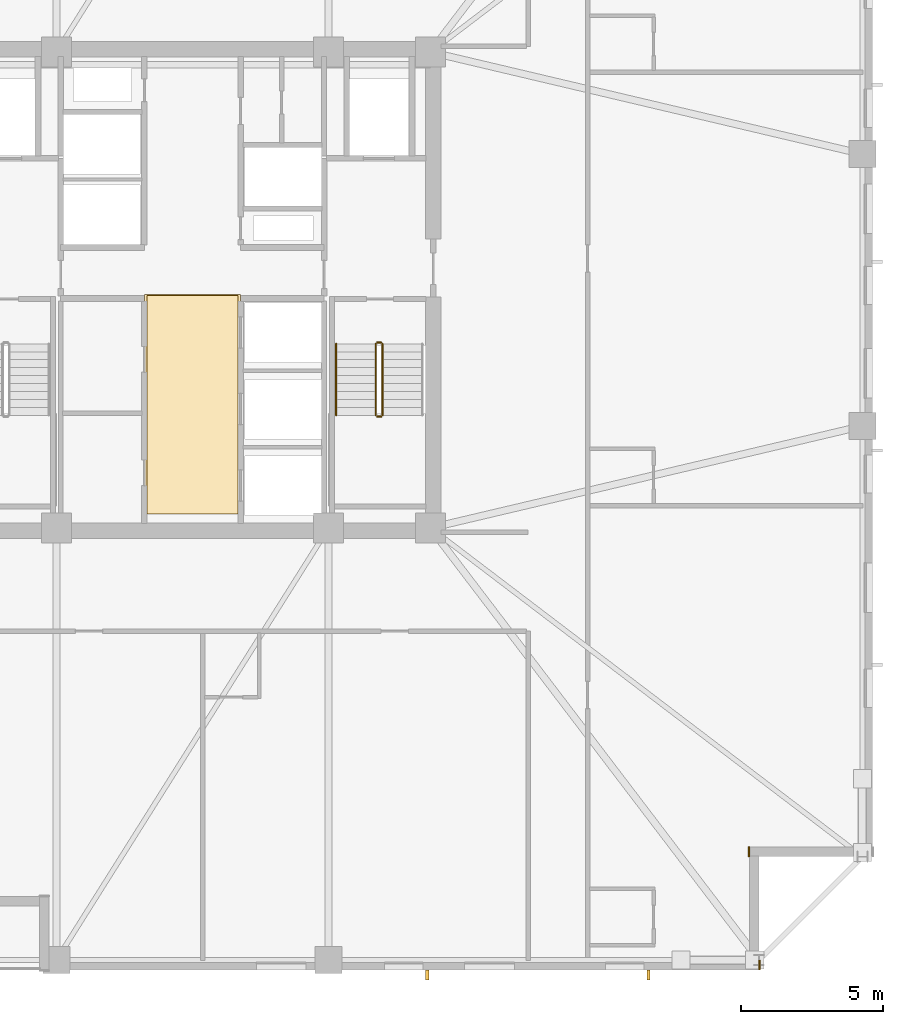
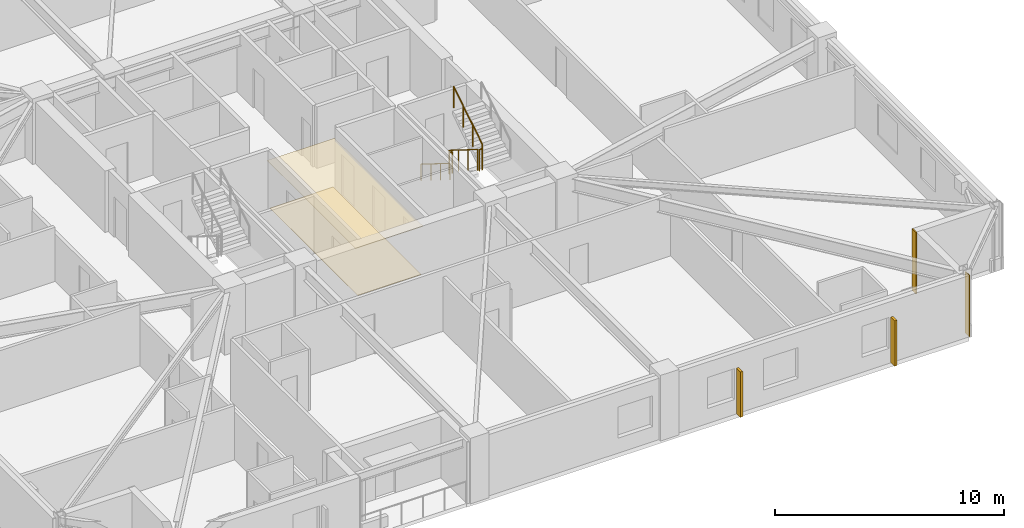
# One storey, part 8 of 11: 5 railings, 4 coverings, 2 shading devices.
"""IFC4 building model written with IfcOpenShell, lengths in metres."""

from ifc_helpers import new_model, si_unit, direction, frame, frame_2d, origin, origin_2d, place, context, subcontext, project, spatial, polyline, rectangle, circle, outline, extrude, material, layer, layer_set, type_object, element, save


model = new_model("IFC4")

# Units and contexts
model_context = context("Model", 3, precision=1e-05, world=origin(), true_north=direction((0.0, 1.0)))
body_context = subcontext(model_context, "Body", "Model", "MODEL_VIEW")
ifc_project = project(units=[si_unit("LENGTHUNIT", "METRE"), si_unit("AREAUNIT", "SQUARE_METRE"), si_unit("VOLUMEUNIT", "CUBIC_METRE"), si_unit("PLANEANGLEUNIT", "RADIAN"), si_unit("MASSUNIT", "GRAM", prefix="KILO")], contexts=[model_context])

# Site, building, storey
site_placement = place(None, origin())
site = spatial("IfcSite", under=ifc_project, at=site_placement, CompositionType="ELEMENT")
building_placement = place(site_placement, origin())
building = spatial("IfcBuilding", under=site, at=building_placement, Name="Cairnveth Concourse Tower", CompositionType="ELEMENT")
storey_placement = place(building_placement, frame((0.0, 0.0, 148.0)))
storey = spatial("IfcBuildingStorey", under=building, at=storey_placement, Name="L40", CompositionType="ELEMENT", Elevation=148.0)

# Coverings
ifc_material_1 = material(Name="Acoustic Mineral Fibre Ceiling", Category="gypsum")
ifc_layer_1 = layer(ifc_material_1, 0.02490234375)
ifc_layer_set_1 = layer_set([ifc_layer_1], Name="Acoustic Mineral Fibre Ceiling")
covering_type_1 = type_object("IfcCoveringType", Name="ACOUSTIC MINERAL FIBRE CEILING 25", PredefinedType="CEILING", material=ifc_layer_set_1)
covering_1_placement = place(storey_placement, frame((0.0, 0.0, 2.5400390625)))
element("IfcCovering", 1, at=covering_1_placement, inside=storey, type_object=covering_type_1, Name="Lift Lobby Acoustic Ceiling L40", PredefinedType="CEILING", context=body_context, shape_type="SweptSolid", body=[
    extrude(outline(polyline([(50.300048828125, 31.10009765625), (53.699951171875, 31.10009765625), (53.699951171875, 38.85009765625), (50.300048828125, 38.85009765625), (50.300048828125, 31.10009765625)])), origin(), (0.0, 0.0, 1.0), 0.02490234375),
])
ifc_material_2 = material(Name="Dressed Melbourne Bluestone Cladding", Category="masonry")
ifc_layer_2 = layer(ifc_material_2, 0.050048828125)
ifc_layer_set_2 = layer_set([ifc_layer_2], Name="Dressed Melbourne Bluestone Cladding")
covering_type_2 = type_object("IfcCoveringType", Name="DRESSED BLUESTONE PLINTH CLADDING 50", PredefinedType="CLADDING", material=ifc_layer_set_2)
for number, where, z_axis, x_axis, name in (
    (2, (71.639892578125, 19.340087890625, 0.0), (0.0, 0.0, 1.0), (0.0, -1.0, 0.0), "Melbourne Bluestone Corner Quoin L40-590"),
    (3, (72.02001953125, 15.340087890625, 0.0), (0.0, 0.0, 1.0), (0.0, -1.0, 0.0), "Melbourne Bluestone Corner Quoin L40-591"),
):
    element("IfcCovering", number, at=place(storey_placement, frame(where, z_axis=z_axis, x_axis=x_axis)), inside=storey, type_object=covering_type_2, Name=name, PredefinedType="CLADDING", context=body_context, shape_type="SweptSolid", body=[
        extrude(rectangle(XDim=0.340087890625, YDim=0.050048828125, at=frame_2d((0.169921875, 0.0))), origin(), (0.0, 0.0, 1.0), 3.280029296875),
    ])

# Shading devices
ifc_material_3 = material(Name="Architectural Bronze Anodised Aluminium 6063-T6", Category="aluminium")
shading_device_type = type_object("IfcShadingDeviceType", Name="GOTHIC BRONZE VERTICAL LANCET FIN", PredefinedType="USERDEFINED", material=ifc_material_3)
for number, where, z_axis, x_axis, name in (
    (4, (68.0966796875, 14.824951171875, 0.030029296875), (0.0, 0.0, 1.0), (1.0, 0.0, 0.0), "Gothic Bronze Vertical Fin L40-12-1"),
    (5, (60.2939453125, 14.824951171875, 0.030029296875), (0.0, 0.0, 1.0), (1.0, 0.0, 0.0), "Gothic Bronze Vertical Fin L40-12-3"),
):
    element("IfcShadingDevice", number, at=place(storey_placement, frame(where, z_axis=z_axis, x_axis=x_axis)), inside=storey, type_object=shading_device_type, Name=name, ObjectType="VERTICAL FIN", PredefinedType="USERDEFINED", context=body_context, shape_type="SweptSolid", body=[
        extrude(rectangle(XDim=0.1201171875, YDim=0.360107421875, at=origin_2d()), origin(), (0.0, 0.0, 1.0), 2.419921875),
    ])

# Railings
ifc_material_4 = material(Name="Steel Grade 350", Category="steel")
railing_type_1 = type_object("IfcRailingType", Name="STAIR GUARDRAIL 1150", PredefinedType="GUARDRAIL", material=ifc_material_4)
railing_1_placement = place(storey_placement, frame((58.469970703125, 37.10009765625, 0.175048828125)))
element("IfcRailing", 6, at=railing_1_placement, inside=storey, type_object=railing_type_1, Name="L40 ST-2 stair guard 1", PredefinedType="GUARDRAIL", context=body_context, shape_type="SweptSolid", body=[
    extrude(circle(Radius=0.02392578125, at=origin_2d()), frame((0.0, 0.0, 1.1259765625), z_axis=(0.0, -0.848007534815, 0.529984170421), x_axis=(1.0, 0.0, 0.0)), (0.0, 0.0, 1.0), 2.9716796875),
    extrude(circle(Radius=0.02099609375, at=origin_2d()), origin(), (0.0, 0.0, 1.0), 1.101806640625),
    extrude(circle(Radius=0.02099609375, at=origin_2d()), frame((0.0, -0.840087890625, 0.52490234375)), (0.0, 0.0, 1.0), 1.101806640625),
    extrude(circle(Radius=0.02099609375, at=origin_2d()), frame((0.0, -1.679931640625, 1.050048828125)), (0.0, 0.0, 1.0), 1.101806640625),
    extrude(circle(Radius=0.02099609375, at=origin_2d()), frame((0.0, -2.52001953125, 1.574951171875)), (0.0, 0.0, 1.0), 1.101806640625),
])
railing_2_placement = place(storey_placement, frame((58.52001953125, 34.530029296875, 1.75)))
element("IfcRailing", 7, at=railing_2_placement, inside=storey, type_object=railing_type_1, Name="L40 ST-2 stair guard 2", PredefinedType="GUARDRAIL", context=body_context, shape_type="SweptSolid", body=[
    extrude(circle(Radius=0.02392578125, at=origin_2d()), frame((0.0, 0.0, 1.1259765625), z_axis=(1.0, 0.0, 0.0), x_axis=(0.0, 1.0, 0.0)), (0.0, 0.0, 1.0), 0.139892578125),
    extrude(circle(Radius=0.02099609375, at=origin_2d()), origin(), (0.0, 0.0, 1.0), 1.101806640625),
    extrude(circle(Radius=0.02099609375, at=origin_2d()), frame((0.139892578125, 0.0, 0.0)), (0.0, 0.0, 1.0), 1.101806640625),
])
railing_3_placement = place(storey_placement, frame((58.7099609375, 34.580078125, 1.925048828125)))
element("IfcRailing", 8, at=railing_3_placement, inside=storey, type_object=railing_type_1, Name="L40 ST-2 stair guard 3", PredefinedType="GUARDRAIL", context=body_context, shape_type="SweptSolid", body=[
    extrude(circle(Radius=0.02392578125, at=origin_2d()), frame((0.0, 0.0, 1.1259765625), z_axis=(0.0, 0.848007534815, 0.529984170421), x_axis=(-1.0, 0.0, 0.0)), (0.0, 0.0, 1.0), 2.9716796875),
    extrude(circle(Radius=0.02099609375, at=origin_2d()), origin(), (0.0, 0.0, 1.0), 1.101806640625),
    extrude(circle(Radius=0.02099609375, at=origin_2d()), frame((0.0, 0.840087890625, 0.52490234375)), (0.0, 0.0, 1.0), 1.101806640625),
    extrude(circle(Radius=0.02099609375, at=origin_2d()), frame((0.0, 1.679931640625, 1.050048828125)), (0.0, 0.0, 1.0), 1.101806640625),
    extrude(circle(Radius=0.02099609375, at=origin_2d()), frame((0.0, 2.52001953125, 1.574951171875)), (0.0, 0.0, 1.0), 1.101806640625),
])
railing_4_placement = place(storey_placement, frame((58.52001953125, 37.14990234375, 0.0)))
element("IfcRailing", 9, at=railing_4_placement, inside=storey, type_object=railing_type_1, Name="L40 ST-2 stair guard 4", PredefinedType="GUARDRAIL", context=body_context, shape_type="SweptSolid", body=[
    extrude(circle(Radius=0.02392578125, at=origin_2d()), frame((0.0, 0.0, 1.1259765625), z_axis=(1.0, 0.0, 0.0), x_axis=(0.0, 1.0, 0.0)), (0.0, 0.0, 1.0), 0.139892578125),
    extrude(circle(Radius=0.02099609375, at=origin_2d()), origin(), (0.0, 0.0, 1.0), 1.101806640625),
    extrude(circle(Radius=0.02099609375, at=origin_2d()), frame((0.139892578125, 0.0, 0.0)), (0.0, 0.0, 1.0), 1.101806640625),
])
railing_type_2 = type_object("IfcRailingType", Name="STAIR WALL HANDRAIL 900", PredefinedType="HANDRAIL", material=ifc_material_4)
railing_5_placement = place(storey_placement, frame((57.070068359375, 37.10009765625, 0.175048828125)))
element("IfcRailing", 10, at=railing_5_placement, inside=storey, type_object=railing_type_2, Name="L40 ST-2 stair handrail 1", PredefinedType="HANDRAIL", context=body_context, shape_type="SweptSolid", body=[
    extrude(circle(Radius=0.02392578125, at=origin_2d()), frame((0.0, 0.0, 0.8759765625), z_axis=(0.0, -0.848007534815, 0.529984170421), x_axis=(1.0, 0.0, 0.0)), (0.0, 0.0, 1.0), 2.9716796875),
    extrude(circle(Radius=0.02099609375, at=origin_2d()), origin(), (0.0, 0.0, 1.0), 0.851806640625),
    extrude(circle(Radius=0.02099609375, at=origin_2d()), frame((0.0, -0.840087890625, 0.52490234375)), (0.0, 0.0, 1.0), 0.851806640625),
    extrude(circle(Radius=0.02099609375, at=origin_2d()), frame((0.0, -1.679931640625, 1.050048828125)), (0.0, 0.0, 1.0), 0.851806640625),
    extrude(circle(Radius=0.02099609375, at=origin_2d()), frame((0.0, -2.52001953125, 1.574951171875)), (0.0, 0.0, 1.0), 0.851806640625),
])

# Covering
ifc_material_5 = material(Name="Vitrified Stoneware Tile Flooring", Category="masonry")
ifc_layer_3 = layer(ifc_material_5, 0.02001953125)
ifc_layer_set_3 = layer_set([ifc_layer_3], Name="Vitrified Stoneware Tile Flooring")
covering_type_3 = type_object("IfcCoveringType", Name="VITRIFIED STONEWARE LOBBY FLOORING 20", PredefinedType="FLOORING", material=ifc_layer_set_3)
covering_2_placement = place(storey_placement, origin())
element("IfcCovering", 11, at=covering_2_placement, inside=storey, type_object=covering_type_3, Name="Lift Lobby Stoneware Flooring L40", PredefinedType="FLOORING", context=body_context, shape_type="SweptSolid", body=[
    extrude(outline(polyline([(50.39990234375, 31.10009765625), (53.60009765625, 31.10009765625), (53.60009765625, 38.800048828125), (50.39990234375, 38.800048828125), (50.39990234375, 31.10009765625)])), origin(), (0.0, 0.0, 1.0), 0.02001953125),
])

save(model, "model.ifc")
